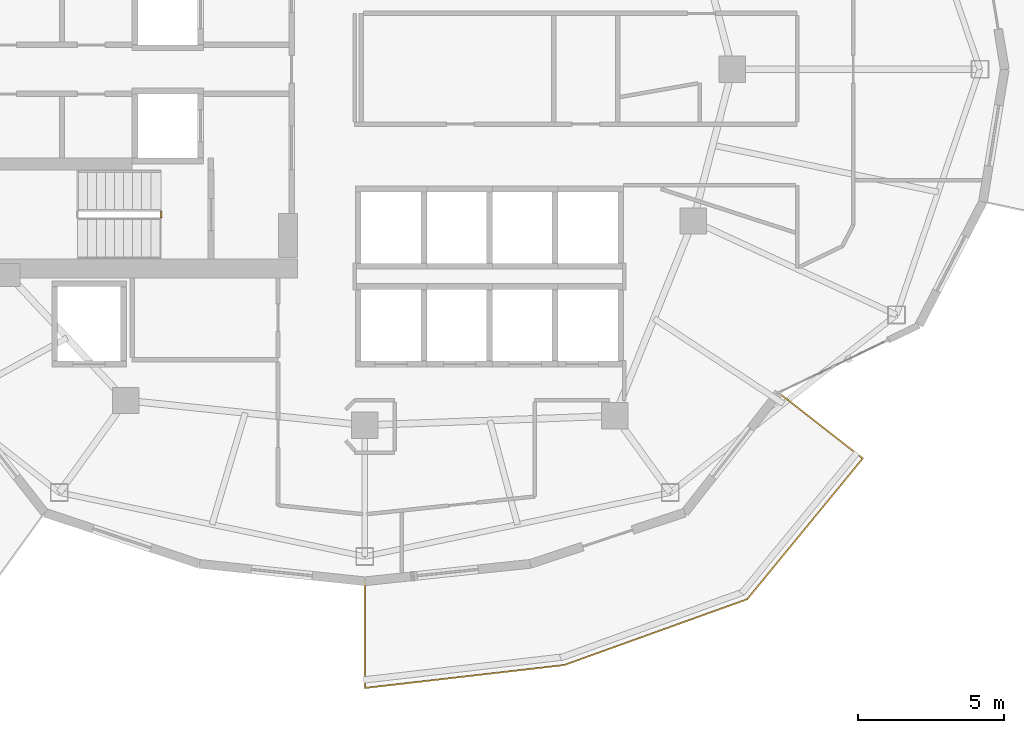
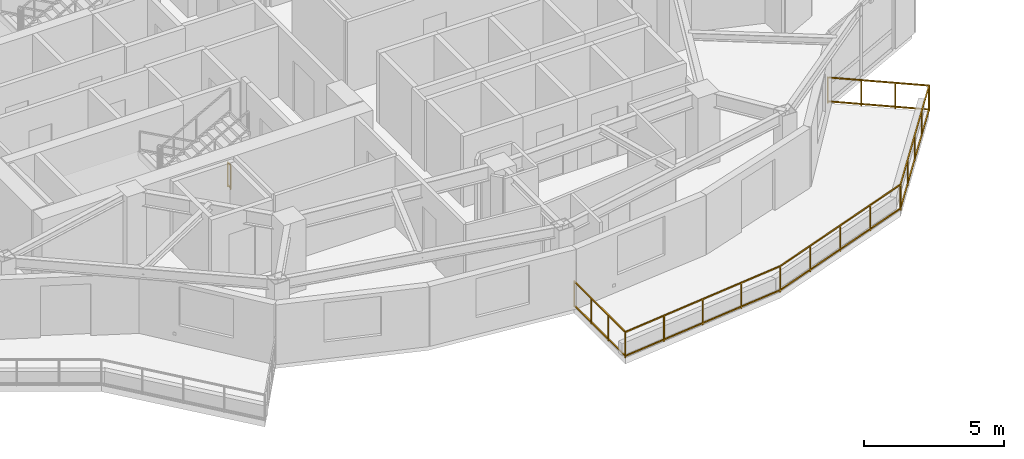
# One storey, part 11 of 13: 2 railings.
"""IFC4 building model written with IfcOpenShell, lengths in metres."""

from ifc_helpers import new_model, si_unit, direction, frame, origin, origin_2d, place, context, subcontext, project, spatial, rectangle, extrude, material, type_object, element, save


model = new_model("IFC4")

# Units and contexts
model_context = context("Model", 3, precision=1e-05, world=origin(), true_north=direction((0.0, 1.0)))
body_context = subcontext(model_context, "Body", "Model", "MODEL_VIEW")
ifc_project = project(units=[si_unit("LENGTHUNIT", "METRE"), si_unit("AREAUNIT", "SQUARE_METRE"), si_unit("VOLUMEUNIT", "CUBIC_METRE"), si_unit("PLANEANGLEUNIT", "RADIAN"), si_unit("MASSUNIT", "GRAM", prefix="KILO")], contexts=[model_context])

# Site, building, storey
site_placement = place(None, origin())
site = spatial("IfcSite", under=ifc_project, at=site_placement, CompositionType="ELEMENT")
building_placement = place(site_placement, origin())
building = spatial("IfcBuilding", under=site, at=building_placement, Name="Kolvaren Gate Tower and Convention Centre", CompositionType="ELEMENT")
storey_placement = place(building_placement, frame((0.0, 0.0, 183.5)))
storey = spatial("IfcBuildingStorey", under=building, at=storey_placement, Name="L48", CompositionType="ELEMENT", Elevation=183.5)

# Railings
ifc_material = material(Name="Brushed Stainless Steel Grade 316L", Category="steel")
railing_type = type_object("IfcRailingType", Name="ARCH-RL-GUARD-1150", PredefinedType="GUARDRAIL", material=ifc_material)
railing_1_placement = place(storey_placement, frame((23.14990234375, 22.1201171875, 0.0)))
element("IfcRailing", 1, at=railing_1_placement, inside=storey, type_object=railing_type, Name="L48 ST-T2 stair guard 4", PredefinedType="GUARDRAIL", context=body_context, shape_type="SweptSolid", body=[
    extrude(rectangle(XDim=0.048095703125, YDim=0.048095703125, at=origin_2d()), frame((0.0, 0.0, 1.076171875), z_axis=(0.0, -1.0, 0.0), x_axis=(1.0, 0.0, 0.0)), (0.0, 0.0, 1.0), 0.2001953125),
    extrude(rectangle(XDim=0.048095703125, YDim=0.048095703125, at=origin_2d()), frame((0.0, 0.0, 0.083984375), z_axis=(0.0, -1.0, 0.0), x_axis=(1.0, 0.0, 0.0)), (0.0, 0.0, 1.0), 0.2001953125),
    extrude(rectangle(XDim=0.0419921875, YDim=0.0419921875, at=origin_2d()), origin(), (0.0, 0.0, 1.0), 1.050048828125),
    extrude(rectangle(XDim=0.0419921875, YDim=0.0419921875, at=origin_2d()), frame((0.0, -0.2001953125, 0.0)), (0.0, 0.0, 1.0), 1.050048828125),
])
railing_2_placement = place(storey_placement, frame((30.125, 9.449951171875, 0.0)))
element("IfcRailing", 2, at=railing_2_placement, inside=storey, type_object=railing_type, Name="Tower L48 Terrace Perimeter Guardrail GR-3", PredefinedType="GUARDRAIL", context=body_context, shape_type="SweptSolid", body=[
    extrude(rectangle(XDim=0.048095703125, YDim=0.048095703125, at=origin_2d()), frame((0.0, -0.028076171875, 1.1259765625), z_axis=(0.0, -1.0, 0.0), x_axis=(1.0, 0.0, 0.0)), (0.0, 0.0, 1.0), 3.603759765625),
    extrude(rectangle(XDim=0.048095703125, YDim=0.048095703125, at=origin_2d()), frame((0.0, -0.028076171875, 0.083984375), z_axis=(0.0, -1.0, 0.0), x_axis=(1.0, 0.0, 0.0)), (0.0, 0.0, 1.0), 3.603759765625),
    extrude(rectangle(XDim=0.048095703125, YDim=0.048095703125, at=origin_2d()), frame((0.02783203125, -3.65673828125, 1.1259765625), z_axis=(0.993440112849, 0.114353584036, 0.0), x_axis=(-0.114353584036, 0.993440112849, 0.0)), (0.0, 0.0, 1.0), 6.8291015625),
    extrude(rectangle(XDim=0.048095703125, YDim=0.048095703125, at=origin_2d()), frame((0.02783203125, -3.65673828125, 0.083984375), z_axis=(0.993440112849, 0.114353584036, 0.0), x_axis=(-0.114353584036, 0.993440112849, 0.0)), (0.0, 0.0, 1.0), 6.8291015625),
    extrude(rectangle(XDim=0.048095703125, YDim=0.048095703125, at=origin_2d()), frame((6.866455078125, -2.863037109375, 1.1259765625), z_axis=(0.940948576924, 0.338549517184, 0.0), x_axis=(-0.338549517184, 0.940948576924, 0.0)), (0.0, 0.0, 1.0), 6.60791015625),
    extrude(rectangle(XDim=0.048095703125, YDim=0.048095703125, at=origin_2d()), frame((6.866455078125, -2.863037109375, 0.083984375), z_axis=(0.940948576924, 0.338549517184, 0.0), x_axis=(-0.338549517184, 0.940948576924, 0.0)), (0.0, 0.0, 1.0), 6.60791015625),
    extrude(rectangle(XDim=0.048095703125, YDim=0.048095703125, at=origin_2d()), frame((13.12841796875, -0.5947265625, 1.1259765625), z_axis=(0.634429234628, 0.77298094818, 0.0), x_axis=(-0.77298094818, 0.634429234628, 0.0)), (0.0, 0.0, 1.0), 6.188720703125),
    extrude(rectangle(XDim=0.048095703125, YDim=0.048095703125, at=origin_2d()), frame((13.12841796875, -0.5947265625, 0.083984375), z_axis=(0.634429234628, 0.77298094818, 0.0), x_axis=(-0.77298094818, 0.634429234628, 0.0)), (0.0, 0.0, 1.0), 6.188720703125),
    extrude(rectangle(XDim=0.048095703125, YDim=0.048095703125, at=origin_2d()), frame((17.05029296875, 4.22802734375, 1.1259765625), z_axis=(-0.787988976981, 0.61568934712, 0.0), x_axis=(-0.61568934712, -0.787988976981, 0.0)), (0.0, 0.0, 1.0), 3.60400390625),
    extrude(rectangle(XDim=0.048095703125, YDim=0.048095703125, at=origin_2d()), frame((17.05029296875, 4.22802734375, 0.083984375), z_axis=(-0.787988976981, 0.61568934712, 0.0), x_axis=(-0.61568934712, -0.787988976981, 0.0)), (0.0, 0.0, 1.0), 3.60400390625),
    extrude(rectangle(XDim=0.0419921875, YDim=0.0419921875, at=origin_2d()), origin(), (0.0, 0.0, 1.0), 1.14990234375),
    extrude(rectangle(XDim=0.0419921875, YDim=0.0419921875, at=origin_2d()), frame((0.0, -3.659912109375, 0.0)), (0.0, 0.0, 1.0), 1.14990234375),
    extrude(rectangle(XDim=0.0419921875, YDim=0.0419921875, at=origin_2d()), frame((0.0, -1.219970703125, 0.0)), (0.0, 0.0, 1.0), 1.099853515625),
    extrude(rectangle(XDim=0.0419921875, YDim=0.0419921875, at=origin_2d()), frame((0.0, -2.43994140625, 0.0)), (0.0, 0.0, 1.0), 1.099853515625),
    extrude(rectangle(XDim=0.0419921875, YDim=0.0419921875, at=origin_2d()), frame((6.840087890625, -2.87255859375, 0.0)), (0.0, 0.0, 1.0), 1.14990234375),
    extrude(rectangle(XDim=0.0419921875, YDim=0.0419921875, at=origin_2d()), frame((1.7099609375, -3.463134765625, 0.0)), (0.0, 0.0, 1.0), 1.099853515625),
    extrude(rectangle(XDim=0.0419921875, YDim=0.0419921875, at=origin_2d()), frame((3.419921875, -3.26611328125, 0.0)), (0.0, 0.0, 1.0), 1.099853515625),
    extrude(rectangle(XDim=0.0419921875, YDim=0.0419921875, at=origin_2d()), frame((5.130126953125, -3.0693359375, 0.0)), (0.0, 0.0, 1.0), 1.099853515625),
    extrude(rectangle(XDim=0.0419921875, YDim=0.0419921875, at=origin_2d()), frame((13.110595703125, -0.616455078125, 0.0)), (0.0, 0.0, 1.0), 1.14990234375),
    extrude(rectangle(XDim=0.0419921875, YDim=0.0419921875, at=origin_2d()), frame((8.40771484375, -2.30859375, 0.0)), (0.0, 0.0, 1.0), 1.099853515625),
    extrude(rectangle(XDim=0.0419921875, YDim=0.0419921875, at=origin_2d()), frame((9.975341796875, -1.74462890625, 0.0)), (0.0, 0.0, 1.0), 1.099853515625),
    extrude(rectangle(XDim=0.0419921875, YDim=0.0419921875, at=origin_2d()), frame((11.54296875, -1.180419921875, 0.0)), (0.0, 0.0, 1.0), 1.099853515625),
    extrude(rectangle(XDim=0.0419921875, YDim=0.0419921875, at=origin_2d()), frame((17.072509765625, 4.210693359375, 0.0)), (0.0, 0.0, 1.0), 1.14990234375),
    extrude(rectangle(XDim=0.0419921875, YDim=0.0419921875, at=origin_2d()), frame((14.10107421875, 0.59033203125, 0.0)), (0.0, 0.0, 1.0), 1.099853515625),
    extrude(rectangle(XDim=0.0419921875, YDim=0.0419921875, at=origin_2d()), frame((15.091552734375, 1.797119140625, 0.0)), (0.0, 0.0, 1.0), 1.099853515625),
    extrude(rectangle(XDim=0.0419921875, YDim=0.0419921875, at=origin_2d()), frame((16.08203125, 3.00390625, 0.0)), (0.0, 0.0, 1.0), 1.099853515625),
    extrude(rectangle(XDim=0.0419921875, YDim=0.0419921875, at=origin_2d()), frame((14.1884765625, 6.464111328125, 0.0)), (0.0, 0.0, 1.0), 1.14990234375),
    extrude(rectangle(XDim=0.0419921875, YDim=0.0419921875, at=origin_2d()), frame((16.111083984375, 4.9619140625, 0.0)), (0.0, 0.0, 1.0), 1.099853515625),
    extrude(rectangle(XDim=0.0419921875, YDim=0.0419921875, at=origin_2d()), frame((15.14990234375, 5.712890625, 0.0)), (0.0, 0.0, 1.0), 1.099853515625),
])

save(model, "model.ifc")
